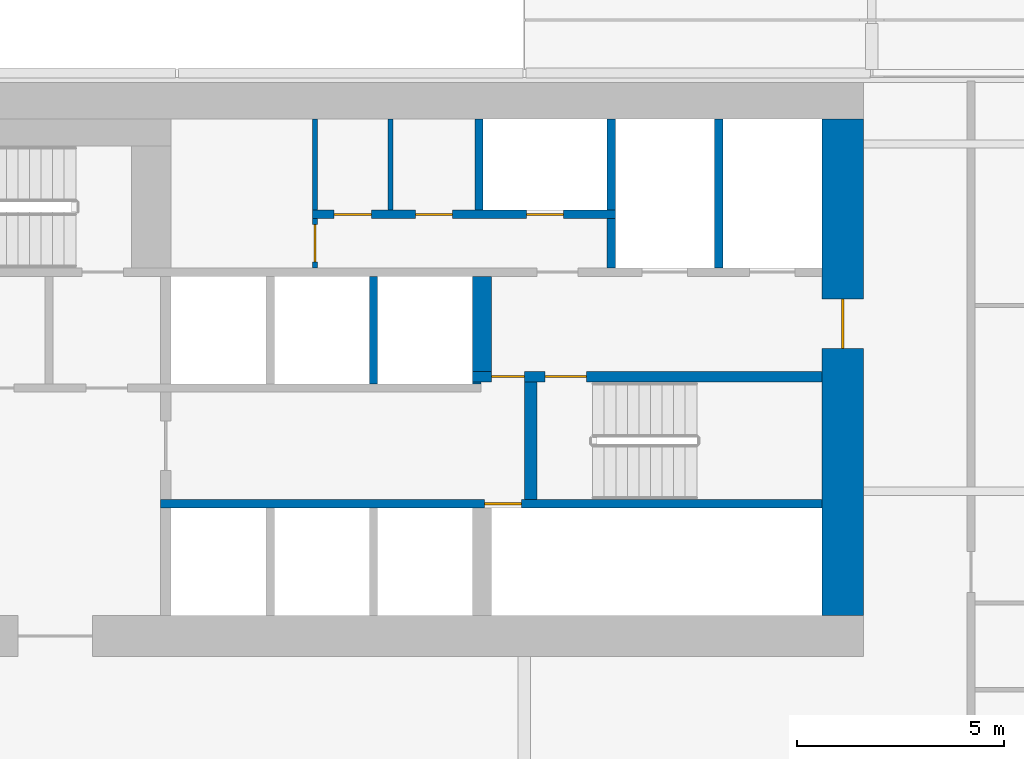
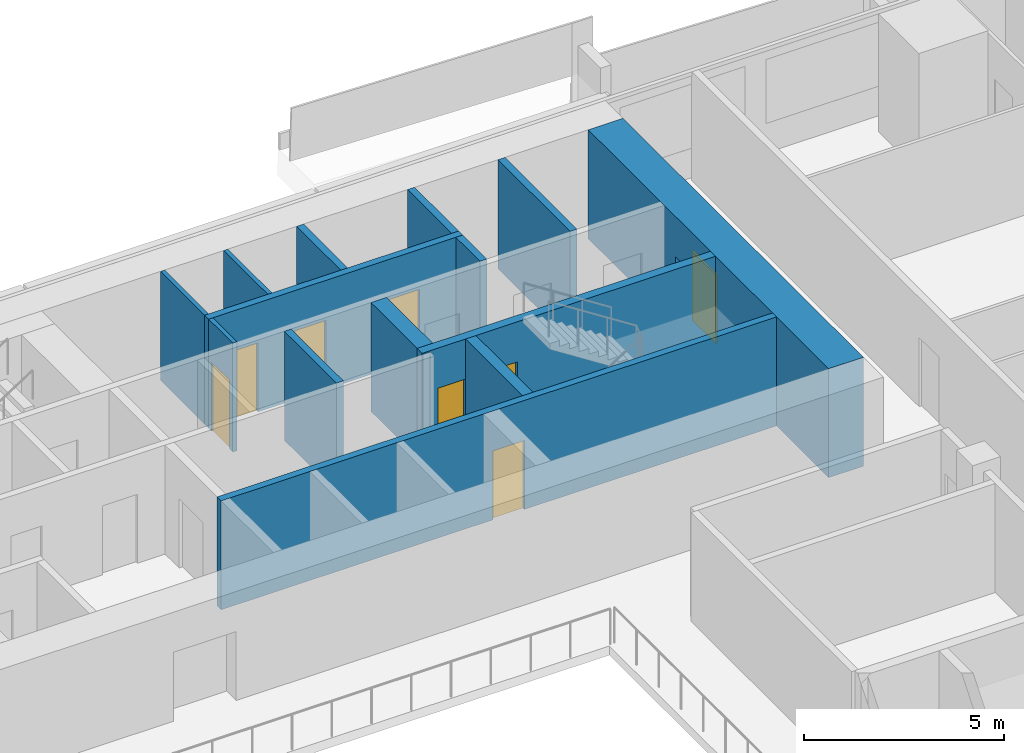
# One storey, part 22 of 29: 15 walls, 8 doors, 8 openings.
"""IFC4 building model written with IfcOpenShell, lengths in metres."""

from ifc_helpers import new_model, si_unit, direction, frame, frame_2d, origin, place, context, subcontext, project, spatial, rectangle, extrude, material, layer, layer_set, type_object, element, fill, save


model = new_model("IFC4")

# Units and contexts
model_context = context("Model", 3, precision=1e-05, world=origin(), true_north=direction((0.0, 1.0)))
body_context = subcontext(model_context, "Body", "Model", "MODEL_VIEW")
ifc_project = project(units=[si_unit("LENGTHUNIT", "METRE"), si_unit("AREAUNIT", "SQUARE_METRE"), si_unit("VOLUMEUNIT", "CUBIC_METRE"), si_unit("PLANEANGLEUNIT", "RADIAN"), si_unit("MASSUNIT", "GRAM", prefix="KILO")], contexts=[model_context])

# Site, building, storey
site_placement = place(None, origin())
site = spatial("IfcSite", under=ifc_project, at=site_placement, CompositionType="ELEMENT")
building_placement = place(site_placement, origin())
building = spatial("IfcBuilding", under=site, at=building_placement, Name="Saffron Gate Tower", CompositionType="ELEMENT")
storey_placement = place(building_placement, frame((0.0, 0.0, 116.85009765625)))
storey = spatial("IfcBuildingStorey", under=building, at=storey_placement, Name="L27", CompositionType="ELEMENT", Elevation=116.85009765625)

# Wall, opening, door
ifc_material_1 = material(Name="Concrete C70", Category="concrete")
ifc_layer_1 = layer(ifc_material_1, 1.0)
ifc_layer_set_1 = layer_set([ifc_layer_1], Name="CW12 RC core wall 1000 C70")
wall_type_1 = type_object("IfcWallType", Name="CW12 RC core wall 1000 C70", PredefinedType="SOLIDWALL", material=ifc_layer_set_1)
wall_1_placement = place(storey_placement, frame((107.89990234375, 62.39990234375, 0.0), z_axis=(0.0, 0.0, 1.0), x_axis=(0.0, 1.0, 0.0)))
wall_1 = element("IfcWall", 1, at=wall_1_placement, inside=storey, type_object=wall_type_1, Name="Wall CW12-L27-4", PredefinedType="SOLIDWALL", context=body_context, shape_type="SweptSolid", body=[
    extrude(rectangle(XDim=12.0, YDim=1.0, at=frame_2d((6.0, 0.0))), origin(), (0.0, 0.0, 1.0), 3.31982421875),
])
opening_1_placement = place(wall_1_placement, frame((6.449951171875, 0.0, 0.0)))
opening_1 = element("IfcOpeningElement", 2, at=opening_1_placement, cuts=wall_1, Name="Opening CR-08", PredefinedType="OPENING", context=body_context, shape_type="SweptSolid", body=[
    extrude(rectangle(XDim=1.199951171875, YDim=2.10009765625, at=frame_2d((0.60009765625, 1.050048828125))), frame((0.0, 0.510009765625, 0.0), z_axis=(0.0, -1.0, 0.0), x_axis=(1.0, 0.0, 0.0)), (0.0, 0.0, 1.0), 1.02001953125),
])
ifc_material_2 = material(Name="Steel fire door set", Category="steel")
door_type_1 = type_object("IfcDoorType", Name="CD7 Core entrance door 1200x2100 EI 120", OperationType="NOTDEFINED", PredefinedType="DOOR", material=ifc_material_2)
door_1_placement = place(opening_1_placement, origin())
door_1 = element("IfcDoor", 3, at=door_1_placement, inside=storey, type_object=door_type_1, Name="DOOR CR-08", OperationType="SINGLE_SWING_RIGHT", OverallHeight=2.10009765625, OverallWidth=1.199951171875, PredefinedType="DOOR", context=body_context, shape_type="SweptSolid", body=[
    extrude(rectangle(XDim=1.199951171875, YDim=2.10009765625, at=frame_2d((0.60009765625, 1.050048828125))), frame((0.0, 0.02490234375, 0.0), z_axis=(0.0, -1.0, 0.0), x_axis=(1.0, 0.0, 0.0)), (0.0, 0.0, 1.0), 0.050048828125),
])
fill(opening_1, door_1)

# Wall, openings, doors
ifc_layer_2 = layer(ifc_material_1, 0.25)
ifc_layer_set_2 = layer_set([ifc_layer_2], Name="CW2 RC core wall 250 C70")
wall_type_2 = type_object("IfcWallType", Name="CW2 RC core wall 250 C70", PredefinedType="SOLIDWALL", material=ifc_layer_set_2)
wall_2_placement = place(storey_placement, frame((98.949951171875, 68.175048828125, 0.0), z_axis=(0.0, 0.0, 1.0), x_axis=(1.0, 0.0, 0.0)))
wall_2 = element("IfcWall", 4, at=wall_2_placement, inside=storey, type_object=wall_type_2, Name="Wall CW2-L27-31", PredefinedType="SOLIDWALL", context=body_context, shape_type="SweptSolid", body=[
    extrude(rectangle(XDim=8.449951171875, YDim=0.25, at=frame_2d((4.22509765625, 0.0))), origin(), (0.0, 0.0, 1.0), 3.31982421875),
])
opening_2_placement = place(wall_2_placement, frame((0.449951171875, 0.0, 0.0)))
opening_2 = element("IfcOpeningElement", 5, at=opening_2_placement, cuts=wall_2, Name="Opening CR-05", PredefinedType="OPENING", context=body_context, shape_type="SweptSolid", body=[
    extrude(rectangle(XDim=0.800048828125, YDim=2.10009765625, at=frame_2d((0.39990234375, 1.050048828125))), frame((0.0, 0.135009765625, 0.0), z_axis=(0.0, -1.0, 0.0), x_axis=(1.0, 0.0, 0.0)), (0.0, 0.0, 1.0), 0.27001953125),
])
opening_3_placement = place(wall_2_placement, frame((1.75, 0.0, 0.0)))
opening_3 = element("IfcOpeningElement", 6, at=opening_3_placement, cuts=wall_2, Name="Opening CR-16", PredefinedType="OPENING", context=body_context, shape_type="SweptSolid", body=[
    extrude(rectangle(XDim=1.0, YDim=2.10009765625, at=frame_2d((0.5, 1.050048828125))), frame((0.0, 0.135009765625, 0.0), z_axis=(0.0, -1.0, 0.0), x_axis=(1.0, 0.0, 0.0)), (0.0, 0.0, 1.0), 0.27001953125),
])
door_type_2 = type_object("IfcDoorType", Name="CD5 Stair door 1000x2100 EI 120", OperationType="NOTDEFINED", PredefinedType="DOOR", material=ifc_material_2)
door_2_placement = place(opening_3_placement, origin())
door_2 = element("IfcDoor", 7, at=door_2_placement, inside=storey, type_object=door_type_2, Name="DOOR CR-16", OperationType="SINGLE_SWING_RIGHT", OverallHeight=2.10009765625, OverallWidth=1.0, PredefinedType="DOOR", context=body_context, shape_type="SweptSolid", body=[
    extrude(rectangle(XDim=1.0, YDim=2.10009765625, at=frame_2d((0.5, 1.050048828125))), frame((0.0, 0.02490234375, 0.0), z_axis=(0.0, -1.0, 0.0), x_axis=(1.0, 0.0, 0.0)), (0.0, 0.0, 1.0), 0.050048828125),
])
fill(opening_3, door_2)
door_type_3 = type_object("IfcDoorType", Name="CD6 Lobby door 800x2100 EI 120", OperationType="NOTDEFINED", PredefinedType="DOOR", material=ifc_material_2)
door_3_placement = place(opening_2_placement, origin())
door_3 = element("IfcDoor", 8, at=door_3_placement, inside=storey, type_object=door_type_3, Name="DOOR CR-05", OperationType="SINGLE_SWING_LEFT", OverallHeight=2.10009765625, OverallWidth=0.800048828125, PredefinedType="DOOR", context=body_context, shape_type="SweptSolid", body=[
    extrude(rectangle(XDim=0.800048828125, YDim=2.10009765625, at=frame_2d((0.39990234375, 1.050048828125))), frame((0.0, 0.02490234375, 0.0), z_axis=(0.0, -1.0, 0.0), x_axis=(1.0, 0.0, 0.0)), (0.0, 0.0, 1.0), 0.050048828125),
])
fill(opening_2, door_3)

# Wall, opening, door
ifc_layer_3 = layer(ifc_material_1, 0.199951171875)
ifc_layer_set_3 = layer_set([ifc_layer_3], Name="CW3 RC core wall 200 C70")
wall_type_3 = type_object("IfcWallType", Name="CW3 RC core wall 200 C70", PredefinedType="SOLIDWALL", material=ifc_layer_set_3)
wall_3_placement = place(storey_placement, frame((91.39990234375, 65.10009765625, 0.0), z_axis=(0.0, 0.0, 1.0), x_axis=(1.0, 0.0, 0.0)))
wall_3 = element("IfcWall", 9, at=wall_3_placement, inside=storey, type_object=wall_type_3, Name="Wall CW3-L27-15", PredefinedType="SOLIDWALL", context=body_context, shape_type="SweptSolid", body=[
    extrude(rectangle(XDim=16.0, YDim=0.199951171875, at=frame_2d((8.0, 0.0))), origin(), (0.0, 0.0, 1.0), 3.31982421875),
])
opening_4_placement = place(wall_3_placement, frame((7.830078125, 0.0, 0.0)))
opening_4 = element("IfcOpeningElement", 10, at=opening_4_placement, cuts=wall_3, Name="Opening CR-48", PredefinedType="OPENING", context=body_context, shape_type="SweptSolid", body=[
    extrude(rectangle(XDim=0.89990234375, YDim=2.10009765625, at=frame_2d((0.449951171875, 1.050048828125))), frame((0.0, 0.10986328125, 0.0), z_axis=(0.0, -1.0, 0.0), x_axis=(1.0, 0.0, 0.0)), (0.0, 0.0, 1.0), 0.219970703125),
])
door_type_4 = type_object("IfcDoorType", Name="CD2 Riser door 900x2100 EI 60", OperationType="NOTDEFINED", PredefinedType="DOOR", material=ifc_material_2)
door_4_placement = place(opening_4_placement, origin())
door_4 = element("IfcDoor", 11, at=door_4_placement, inside=storey, type_object=door_type_4, Name="DOOR CR-48", OperationType="SINGLE_SWING_RIGHT", OverallHeight=2.10009765625, OverallWidth=0.89990234375, PredefinedType="DOOR", context=body_context, shape_type="SweptSolid", body=[
    extrude(rectangle(XDim=0.89990234375, YDim=2.10009765625, at=frame_2d((0.449951171875, 1.050048828125))), frame((0.0, 0.02490234375, 0.0), z_axis=(0.0, -1.0, 0.0), x_axis=(1.0, 0.0, 0.0)), (0.0, 0.0, 1.0), 0.050048828125),
])
fill(opening_4, door_4)

# Walls
wall_4_placement = place(storey_placement, frame((96.550048828125, 68.0, 0.0), z_axis=(0.0, 0.0, 1.0), x_axis=(0.0, 1.0, 0.0)))
element("IfcWall", 12, at=wall_4_placement, inside=storey, type_object=wall_type_3, Name="Wall CW3-L27-28", PredefinedType="SOLIDWALL", context=body_context, shape_type="SweptSolid", body=[
    extrude(rectangle(XDim=2.60009765625, YDim=0.199951171875, at=frame_2d((1.300048828125, 0.0))), origin(), (0.0, 0.0, 1.0), 3.31982421875),
])
wall_5_placement = place(storey_placement, frame((102.300048828125, 70.800048828125, 0.0), z_axis=(0.0, 0.0, 1.0), x_axis=(0.0, 1.0, 0.0)))
element("IfcWall", 13, at=wall_5_placement, inside=storey, type_object=wall_type_3, Name="Wall CW3-L27-41", PredefinedType="SOLIDWALL", context=body_context, shape_type="SweptSolid", body=[
    extrude(rectangle(XDim=1.199951171875, YDim=0.199951171875, at=frame_2d((0.60009765625, 0.0))), origin(), (0.0, 0.0, 1.0), 3.31982421875),
])
wall_6_placement = place(storey_placement, frame((104.89990234375, 70.800048828125, 0.0), z_axis=(0.0, 0.0, 1.0), x_axis=(0.0, 1.0, 0.0)))
element("IfcWall", 14, at=wall_6_placement, inside=storey, type_object=wall_type_3, Name="Wall CW3-L27-42", PredefinedType="SOLIDWALL", context=body_context, shape_type="SweptSolid", body=[
    extrude(rectangle(XDim=3.599853515625, YDim=0.199951171875, at=frame_2d((1.7998046875, 0.0))), origin(), (0.0, 0.0, 1.0), 3.31982421875),
])

# Wall, openings, doors
wall_7_placement = place(storey_placement, frame((95.080078125, 72.10009765625, 0.0), z_axis=(0.0, 0.0, 1.0), x_axis=(1.0, 0.0, 0.0)))
wall_7 = element("IfcWall", 15, at=wall_7_placement, inside=storey, type_object=wall_type_3, Name="Wall CW3-L27-44", PredefinedType="SOLIDWALL", context=body_context, shape_type="SweptSolid", body=[
    extrude(rectangle(XDim=7.31982421875, YDim=0.199951171875, at=frame_2d((3.659912109375, 0.0))), origin(), (0.0, 0.0, 1.0), 3.31982421875),
])
opening_5_placement = place(wall_7_placement, frame((0.52001953125, 0.0, 0.0)))
opening_5 = element("IfcOpeningElement", 16, at=opening_5_placement, cuts=wall_7, Name="Opening CR-50", PredefinedType="OPENING", context=body_context, shape_type="SweptSolid", body=[
    extrude(rectangle(XDim=0.89990234375, YDim=2.10009765625, at=frame_2d((0.449951171875, 1.050048828125))), frame((0.0, 0.10986328125, 0.0), z_axis=(0.0, -1.0, 0.0), x_axis=(1.0, 0.0, 0.0)), (0.0, 0.0, 1.0), 0.219970703125),
])
opening_6_placement = place(wall_7_placement, frame((2.47998046875, 0.0, 0.0)))
opening_6 = element("IfcOpeningElement", 17, at=opening_6_placement, cuts=wall_7, Name="Opening CR-53", PredefinedType="OPENING", context=body_context, shape_type="SweptSolid", body=[
    extrude(rectangle(XDim=0.89990234375, YDim=2.10009765625, at=frame_2d((0.449951171875, 1.050048828125))), frame((0.0, 0.10986328125, 0.0), z_axis=(0.0, -1.0, 0.0), x_axis=(1.0, 0.0, 0.0)), (0.0, 0.0, 1.0), 0.219970703125),
])
opening_7_placement = place(wall_7_placement, frame((5.169921875, 0.0, 0.0)))
opening_7 = element("IfcOpeningElement", 18, at=opening_7_placement, cuts=wall_7, Name="Opening CR-70", PredefinedType="OPENING", context=body_context, shape_type="SweptSolid", body=[
    extrude(rectangle(XDim=0.89990234375, YDim=2.10009765625, at=frame_2d((0.449951171875, 1.050048828125))), frame((0.0, 0.10986328125, 0.0), z_axis=(0.0, -1.0, 0.0), x_axis=(1.0, 0.0, 0.0)), (0.0, 0.0, 1.0), 0.219970703125),
])
door_5_placement = place(opening_7_placement, origin())
door_5 = element("IfcDoor", 19, at=door_5_placement, inside=storey, type_object=door_type_4, Name="DOOR CR-70", OperationType="SINGLE_SWING_LEFT", OverallHeight=2.10009765625, OverallWidth=0.89990234375, PredefinedType="DOOR", context=body_context, shape_type="SweptSolid", body=[
    extrude(rectangle(XDim=0.89990234375, YDim=2.10009765625, at=frame_2d((0.449951171875, 1.050048828125))), frame((0.0, 0.02490234375, 0.0), z_axis=(0.0, -1.0, 0.0), x_axis=(1.0, 0.0, 0.0)), (0.0, 0.0, 1.0), 0.050048828125),
])
fill(opening_7, door_5)
door_type_5 = type_object("IfcDoorType", Name="CD9 Room door 900x2100 EI 60", OperationType="NOTDEFINED", PredefinedType="DOOR", material=ifc_material_2)
door_6_placement = place(opening_5_placement, origin())
door_6 = element("IfcDoor", 20, at=door_6_placement, inside=storey, type_object=door_type_5, Name="DOOR CR-50", OperationType="SINGLE_SWING_LEFT", OverallHeight=2.10009765625, OverallWidth=0.89990234375, PredefinedType="DOOR", context=body_context, shape_type="SweptSolid", body=[
    extrude(rectangle(XDim=0.89990234375, YDim=2.10009765625, at=frame_2d((0.449951171875, 1.050048828125))), frame((0.0, 0.02490234375, 0.0), z_axis=(0.0, -1.0, 0.0), x_axis=(1.0, 0.0, 0.0)), (0.0, 0.0, 1.0), 0.050048828125),
])
fill(opening_5, door_6)
door_7_placement = place(opening_6_placement, origin())
door_7 = element("IfcDoor", 21, at=door_7_placement, inside=storey, type_object=door_type_5, Name="DOOR CR-53", OperationType="SINGLE_SWING_LEFT", OverallHeight=2.10009765625, OverallWidth=0.89990234375, PredefinedType="DOOR", context=body_context, shape_type="SweptSolid", body=[
    extrude(rectangle(XDim=0.89990234375, YDim=2.10009765625, at=frame_2d((0.449951171875, 1.050048828125))), frame((0.0, 0.02490234375, 0.0), z_axis=(0.0, -1.0, 0.0), x_axis=(1.0, 0.0, 0.0)), (0.0, 0.0, 1.0), 0.050048828125),
])
fill(opening_6, door_7)

# Walls
for number, where, z_axis, x_axis, name in (
    (22, (99.10009765625, 72.199951171875, 0.0), (0.0, 0.0, 1.0), (0.0, 1.0, 0.0), "Wall CW3-L27-51"),
    (23, (102.300048828125, 72.199951171875, 0.0), (0.0, 0.0, 1.0), (0.0, 1.0, 0.0), "Wall CW3-L27-52"),
):
    element("IfcWall", number, at=place(storey_placement, frame(where, z_axis=z_axis, x_axis=x_axis)), inside=storey, type_object=wall_type_3, Name=name, PredefinedType="SOLIDWALL", context=body_context, shape_type="SweptSolid", body=[
        extrude(rectangle(XDim=2.199951171875, YDim=0.199951171875, at=frame_2d((1.10009765625, 0.0))), origin(), (0.0, 0.0, 1.0), 3.31982421875),
    ])
ifc_layer_4 = layer(ifc_material_1, 0.449951171875)
ifc_layer_set_4 = layer_set([ifc_layer_4], Name="CW4 RC core wall 450 C70")
wall_type_4 = type_object("IfcWallType", Name="CW4 RC core wall 450 C70", PredefinedType="SOLIDWALL", material=ifc_layer_set_4)
wall_8_placement = place(storey_placement, frame((99.175048828125, 68.300048828125, 0.0), z_axis=(0.0, 0.0, 1.0), x_axis=(0.0, 1.0, 0.0)))
element("IfcWall", 24, at=wall_8_placement, inside=storey, type_object=wall_type_4, Name="Wall CW4-L27-33", PredefinedType="SOLIDWALL", context=body_context, shape_type="SweptSolid", body=[
    extrude(rectangle(XDim=2.300048828125, YDim=0.449951171875, at=frame_2d((1.14990234375, 0.0))), origin(), (0.0, 0.0, 1.0), 3.31982421875),
])
ifc_layer_5 = layer(ifc_material_1, 0.300048828125)
ifc_layer_set_5 = layer_set([ifc_layer_5], Name="CW5 RC core wall 300 C70")
wall_type_5 = type_object("IfcWallType", Name="CW5 RC core wall 300 C70", PredefinedType="SOLIDWALL", material=ifc_layer_set_5)
wall_9_placement = place(storey_placement, frame((100.35009765625, 65.199951171875, 0.0), z_axis=(0.0, 0.0, 1.0), x_axis=(0.0, 1.0, 0.0)))
element("IfcWall", 25, at=wall_9_placement, inside=storey, type_object=wall_type_5, Name="Wall CW5-L27-19", PredefinedType="SOLIDWALL", context=body_context, shape_type="SweptSolid", body=[
    extrude(rectangle(XDim=2.85009765625, YDim=0.300048828125, at=frame_2d((1.425048828125, 0.0))), origin(), (0.0, 0.0, 1.0), 3.31982421875),
])
ifc_layer_6 = layer(ifc_material_1, 0.050048828125)
ifc_layer_set_6 = layer_set([ifc_layer_6], Name="CW6 RC core wall 50 C70")
wall_type_6 = type_object("IfcWallType", Name="CW6 RC core wall 50 C70", PredefinedType="SOLIDWALL", material=ifc_layer_set_6)
wall_10_placement = place(storey_placement, frame((98.949951171875, 68.02490234375, 0.0), z_axis=(0.0, 0.0, 1.0), x_axis=(1.0, 0.0, 0.0)))
element("IfcWall", 26, at=wall_10_placement, inside=storey, type_object=wall_type_6, Name="Wall CW6-L27-29", PredefinedType="SOLIDWALL", context=body_context, shape_type="SweptSolid", body=[
    extrude(rectangle(XDim=0.199951171875, YDim=0.050048828125, at=frame_2d((0.10009765625, 0.0))), origin(), (0.0, 0.0, 1.0), 3.31982421875),
])

# Wall, opening, door
ifc_material_3 = material(Name="Gypsum board partition on steel studs", Category="steel")
ifc_layer_7 = layer(ifc_material_3, 0.1201171875)
ifc_layer_set_7 = layer_set([ifc_layer_7], Name="CW8 Core partition 120")
wall_type_7 = type_object("IfcWallType", Name="CW8 Core partition 120", PredefinedType="PARTITIONING", material=ifc_layer_set_7)
wall_11_placement = place(storey_placement, frame((95.139892578125, 70.800048828125, 0.0), z_axis=(0.0, 0.0, 1.0), x_axis=(0.0, 1.0, 0.0)))
wall_11 = element("IfcWall", 27, at=wall_11_placement, inside=storey, type_object=wall_type_7, Name="Wall CW8-L27-40", PredefinedType="PARTITIONING", context=body_context, shape_type="SweptSolid", body=[
    extrude(rectangle(XDim=1.199951171875, YDim=0.1201171875, at=frame_2d((0.60009765625, 0.0))), origin(), (0.0, 0.0, 1.0), 3.31982421875),
])
opening_8_placement = place(wall_11_placement, frame((0.14990234375, 0.0, 0.0)))
opening_8 = element("IfcOpeningElement", 28, at=opening_8_placement, cuts=wall_11, Name="Opening CR-54", PredefinedType="OPENING", context=body_context, shape_type="SweptSolid", body=[
    extrude(rectangle(XDim=0.89990234375, YDim=2.10009765625, at=frame_2d((0.449951171875, 1.050048828125))), frame((0.0, 0.070068359375, 0.0), z_axis=(0.0, -1.0, 0.0), x_axis=(1.0, 0.0, 0.0)), (0.0, 0.0, 1.0), 0.14013671875),
])
door_8_placement = place(opening_8_placement, origin())
door_8 = element("IfcDoor", 29, at=door_8_placement, inside=storey, type_object=door_type_5, Name="DOOR CR-54", OperationType="SINGLE_SWING_LEFT", OverallHeight=2.10009765625, OverallWidth=0.89990234375, PredefinedType="DOOR", context=body_context, shape_type="SweptSolid", body=[
    extrude(rectangle(XDim=0.89990234375, YDim=2.10009765625, at=frame_2d((0.449951171875, 1.050048828125))), frame((0.0, 0.02490234375, 0.0), z_axis=(0.0, -1.0, 0.0), x_axis=(1.0, 0.0, 0.0)), (0.0, 0.0, 1.0), 0.050048828125),
])
fill(opening_8, door_8)

# Walls
for number, where, z_axis, x_axis, name in (
    (30, (95.139892578125, 72.199951171875, 0.0), (0.0, 0.0, 1.0), (0.0, 1.0, 0.0), "Wall CW8-L27-49"),
    (31, (96.9599609375, 72.199951171875, 0.0), (0.0, 0.0, 1.0), (0.0, 1.0, 0.0), "Wall CW8-L27-50"),
):
    element("IfcWall", number, at=place(storey_placement, frame(where, z_axis=z_axis, x_axis=x_axis)), inside=storey, type_object=wall_type_7, Name=name, PredefinedType="PARTITIONING", context=body_context, shape_type="SweptSolid", body=[
        extrude(rectangle(XDim=2.199951171875, YDim=0.1201171875, at=frame_2d((1.10009765625, 0.0))), origin(), (0.0, 0.0, 1.0), 3.31982421875),
    ])

save(model, "model.ifc")
